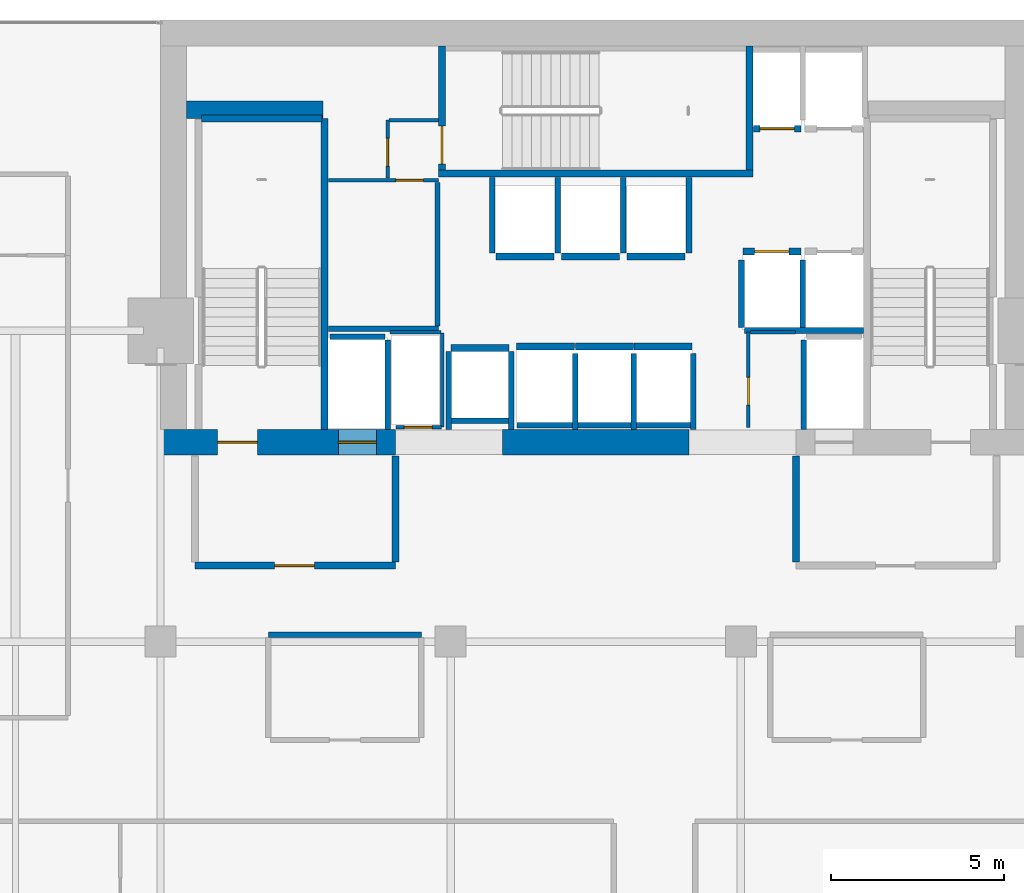
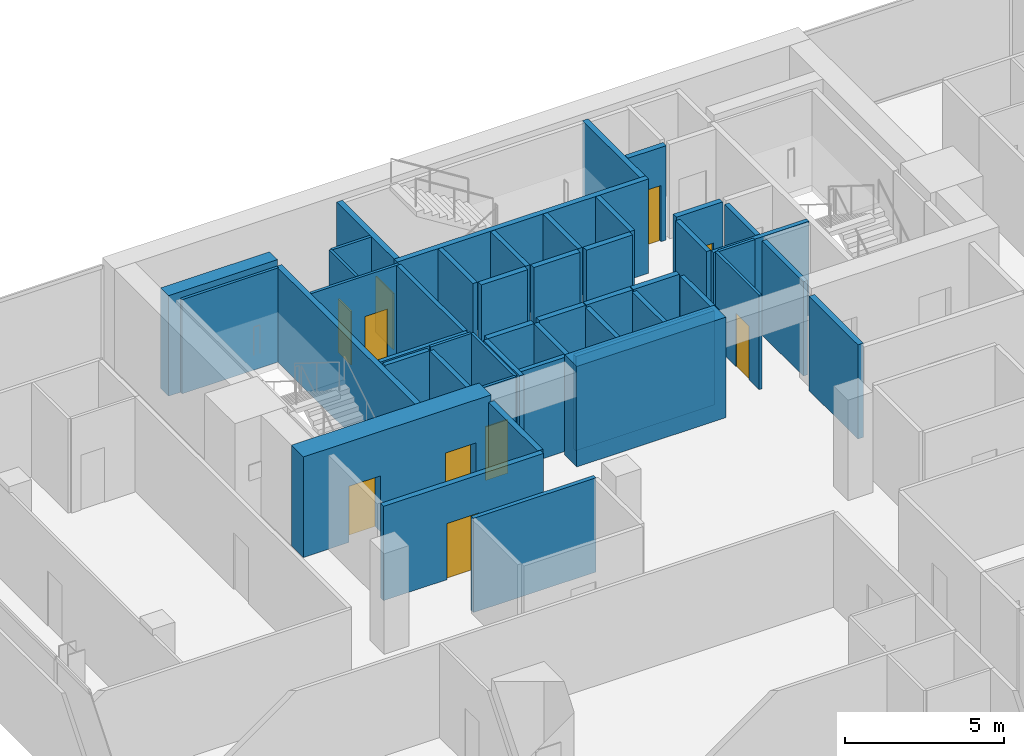
# One storey, part 29 of 33: 48 walls, 10 doors, 10 openings.
"""IFC4 building model written with IfcOpenShell, lengths in metres."""

from ifc_helpers import new_model, si_unit, direction, frame, frame_2d, origin, place, context, subcontext, project, spatial, rectangle, extrude, material, layer, layer_set, type_object, element, fill, save


model = new_model("IFC4")

# Units and contexts
model_context = context("Model", 3, precision=1e-05, world=origin(), true_north=direction((0.0, 1.0)))
body_context = subcontext(model_context, "Body", "Model", "MODEL_VIEW")
ifc_project = project(units=[si_unit("LENGTHUNIT", "METRE"), si_unit("AREAUNIT", "SQUARE_METRE"), si_unit("VOLUMEUNIT", "CUBIC_METRE"), si_unit("PLANEANGLEUNIT", "RADIAN"), si_unit("MASSUNIT", "GRAM", prefix="KILO")], contexts=[model_context])

# Site, building, storey
site_placement = place(None, origin())
site = spatial("IfcSite", under=ifc_project, at=site_placement, CompositionType="ELEMENT")
building_placement = place(site_placement, origin())
building = spatial("IfcBuilding", under=site, at=building_placement, Name="Maruvema Waterfront Hotel and Observation Tower", CompositionType="ELEMENT")
storey_placement = place(building_placement, frame((0.0, 0.0, 200.550048828125)))
storey = spatial("IfcBuildingStorey", under=building, at=storey_placement, Name="L49", CompositionType="ELEMENT", Elevation=200.550048828125)

# Walls
ifc_material_1 = material(Name="Twin-stud acoustic gypsum drywall", Category="gypsum")
ifc_layer_1 = layer(ifc_material_1, 0.14990234375, Name="Acoustic Corridor and Suite Demising Wall 150 mm")
ifc_layer_set_1 = layer_set([ifc_layer_1], Name="Twin-stud acoustic gypsum drywall")
wall_type_1 = type_object("IfcWallType", Name="Acoustic Corridor and Suite Demising Wall 150 mm", PredefinedType="PARTITIONING", material=ifc_layer_set_1)
wall_1_placement = place(storey_placement, frame((30.06005859375, 45.06005859375, 0.0), z_axis=(0.0, 0.0, 1.0), x_axis=(1.0, 0.0, 0.0)))
element("IfcWall", 1, at=wall_1_placement, inside=storey, type_object=wall_type_1, Name="L49 Freed B1 South Wall 012", PredefinedType="PARTITIONING", context=body_context, shape_type="SweptSolid", body=[
    extrude(rectangle(XDim=3.179931640625, YDim=0.14990234375, at=frame_2d((1.58984375, 0.0))), origin(), (0.0, 0.0, 1.0), 3.60986328125),
])
wall_2_placement = place(storey_placement, frame((33.219970703125, 45.139892578125, 0.0), z_axis=(0.0, 0.0, 1.0), x_axis=(0.0, 1.0, 0.0)))
element("IfcWall", 2, at=wall_2_placement, inside=storey, type_object=wall_type_1, Name="L49 Freed B1 East Wall 013", PredefinedType="PARTITIONING", context=body_context, shape_type="SweptSolid", body=[
    extrude(rectangle(XDim=4.16015625, YDim=0.14990234375, at=frame_2d((2.080078125, 0.0))), origin(), (0.0, 0.0, 1.0), 3.60986328125),
])
wall_3_placement = place(storey_placement, frame((28.320068359375, 36.199951171875, 0.0), z_axis=(0.0, 0.0, 1.0), x_axis=(1.0, 0.0, 0.0)))
element("IfcWall", 3, at=wall_3_placement, inside=storey, type_object=wall_type_1, Name="L49 L49-M1 Back Wall 017", PredefinedType="PARTITIONING", context=body_context, shape_type="SweptSolid", body=[
    extrude(rectangle(XDim=4.429931640625, YDim=0.14990234375, at=frame_2d((2.21484375, 0.0))), origin(), (0.0, 0.0, 1.0), 3.60986328125),
])
ifc_material_2 = material(Name="Precast concrete C45/55", Category="concrete")
ifc_layer_2 = layer(ifc_material_2, 0.199951171875, Name="Core Shaft and Stairwell Enclosure Wall 200 mm")
ifc_layer_set_2 = layer_set([ifc_layer_2], Name="Precast concrete C45/55")
wall_type_2 = type_object("IfcWallType", Name="Core Shaft and Stairwell Enclosure Wall 200 mm", PredefinedType="SOLIDWALL", material=ifc_layer_set_2)
wall_4_placement = place(storey_placement, frame((29.949951171875, 42.14990234375, 0.0), z_axis=(0.0, 0.0, 1.0), x_axis=(0.0, 1.0, 0.0)))
element("IfcWall", 4, at=wall_4_placement, inside=storey, type_object=wall_type_2, Name="L49 Stairwell ST-01 East Shaft Wall", PredefinedType="SOLIDWALL", context=body_context, shape_type="SweptSolid", body=[
    extrude(rectangle(XDim=9.0, YDim=0.199951171875, at=frame_2d((4.5, 0.0))), origin(), (0.0, 0.0, 1.0), 3.60986328125),
])
wall_5_placement = place(storey_placement, frame((26.3798828125, 51.14990234375, 0.0), z_axis=(0.0, 0.0, 1.0), x_axis=(1.0, 0.0, 0.0)))
element("IfcWall", 5, at=wall_5_placement, inside=storey, type_object=wall_type_2, Name="L49 Stairwell ST-01 Shaft Lining Wall", PredefinedType="SOLIDWALL", context=body_context, shape_type="SweptSolid", body=[
    extrude(rectangle(XDim=3.5, YDim=0.199951171875, at=frame_2d((1.75, 0.0))), origin(), (0.0, 0.0, 1.0), 3.60986328125),
])
wall_6_placement = place(storey_placement, frame((33.25, 49.550048828125, 0.0), z_axis=(0.0, 0.0, 1.0), x_axis=(1.0, 0.0, 0.0)))
element("IfcWall", 6, at=wall_6_placement, inside=storey, type_object=wall_type_2, Name="L49 Stairwell ST-02 Shaft Wall", PredefinedType="SOLIDWALL", context=body_context, shape_type="SweptSolid", body=[
    extrude(rectangle(XDim=9.10009765625, YDim=0.199951171875, at=frame_2d((4.550048828125, 0.0))), origin(), (0.0, 0.0, 1.0), 3.60986328125),
])
wall_7_placement = place(storey_placement, frame((42.25, 49.64990234375, 0.0), z_axis=(0.0, 0.0, 1.0), x_axis=(0.0, 1.0, 0.0)))
element("IfcWall", 7, at=wall_7_placement, inside=storey, type_object=wall_type_2, Name="L49 Stairwell ST-02 Shaft Wall", PredefinedType="SOLIDWALL", context=body_context, shape_type="SweptSolid", body=[
    extrude(rectangle(XDim=3.60009765625, YDim=0.199951171875, at=frame_2d((1.800048828125, 0.0))), origin(), (0.0, 0.0, 1.0), 3.60986328125),
])

# Wall, opening, door
wall_8_placement = place(storey_placement, frame((33.35009765625, 49.64990234375, 0.0), z_axis=(0.0, 0.0, 1.0), x_axis=(0.0, 1.0, 0.0)))
wall_8 = element("IfcWall", 8, at=wall_8_placement, inside=storey, type_object=wall_type_2, Name="L49 Stairwell ST-02 Shaft Wall", PredefinedType="SOLIDWALL", context=body_context, shape_type="SweptSolid", body=[
    extrude(rectangle(XDim=3.60009765625, YDim=0.199951171875, at=frame_2d((1.800048828125, 0.0))), origin(), (0.0, 0.0, 1.0), 3.60986328125),
])
opening_1_placement = place(wall_8_placement, frame((0.179931640625, 0.0, 0.0)))
opening_1 = element("IfcOpeningElement", 9, at=opening_1_placement, cuts=wall_8, Name="Opening SD-02", PredefinedType="OPENING", context=body_context, shape_type="SweptSolid", body=[
    extrude(rectangle(XDim=1.10009765625, YDim=2.14990234375, at=frame_2d((0.550048828125, 1.074951171875))), frame((0.0, 0.10986328125, 0.0), z_axis=(0.0, -1.0, 0.0), x_axis=(1.0, 0.0, 0.0)), (0.0, 0.0, 1.0), 0.219970703125),
])
ifc_material_3 = material(Name="Fire-rated galvanised steel leaf", Category="steel")
door_type_1 = type_object("IfcDoorType", Name="Central Exit Stair Fire Door 1100x2150 mm", OperationType="NOTDEFINED", PredefinedType="DOOR", material=ifc_material_3)
door_1_placement = place(opening_1_placement, frame((1.10009765625, 0.0, 0.0), z_axis=(0.0, 0.0, 1.0), x_axis=(-1.0, 0.0, 0.0)))
door_1 = element("IfcDoor", 10, at=door_1_placement, inside=storey, type_object=door_type_1, Name="L49 Exit Stair ST-02 Fire Door", OperationType="SINGLE_SWING_LEFT", OverallHeight=2.14990234375, OverallWidth=1.10009765625, PredefinedType="DOOR", context=body_context, shape_type="SweptSolid", body=[
    extrude(rectangle(XDim=1.10009765625, YDim=2.14990234375, at=frame_2d((0.550048828125, 1.074951171875))), frame((0.0, 0.02490234375, 0.0), z_axis=(0.0, -1.0, 0.0), x_axis=(1.0, 0.0, 0.0)), (0.0, 0.0, 1.0), 0.050048828125),
])
fill(opening_1, door_1)

wall_9_placement = place(storey_placement, frame((42.06005859375, 47.300048828125, 0.0), z_axis=(0.0, 0.0, 1.0), x_axis=(1.0, 0.0, 0.0)))
wall_9 = element("IfcWall", 11, at=wall_9_placement, inside=storey, type_object=wall_type_2, Name="L49 Lift LF-05 Hoistway Front Wall", PredefinedType="SOLIDWALL", context=body_context, shape_type="SweptSolid", body=[
    extrude(rectangle(XDim=1.679931640625, YDim=0.199951171875, at=frame_2d((0.83984375, 0.0))), origin(), (0.0, 0.0, 1.0), 3.60986328125),
])
opening_2_placement = place(wall_9_placement, frame((0.340087890625, 0.0, 0.0)))
opening_2 = element("IfcOpeningElement", 12, at=opening_2_placement, cuts=wall_9, Name="Opening LD-01", PredefinedType="OPENING", context=body_context, shape_type="SweptSolid", body=[
    extrude(rectangle(XDim=1.0, YDim=2.14990234375, at=frame_2d((0.5, 1.074951171875))), frame((0.0, 0.10986328125, 0.0), z_axis=(0.0, -1.0, 0.0), x_axis=(1.0, 0.0, 0.0)), (0.0, 0.0, 1.0), 0.219970703125),
])
ifc_material_4 = material(Name="Brushed stainless steel Grade 316", Category="steel")
door_type_2 = type_object("IfcDoorType", Name="Passenger Lift Sliding Landing Door 1000x2150 mm", OperationType="SLIDING_TO_LEFT", PredefinedType="DOOR", material=ifc_material_4)
door_2_placement = place(opening_2_placement, origin())
door_2 = element("IfcDoor", 13, at=door_2_placement, inside=storey, type_object=door_type_2, Name="L49 Lift LF-05 Sliding Landing Door", OperationType="SLIDING_TO_LEFT", OverallHeight=2.14990234375, OverallWidth=1.0, PredefinedType="DOOR", context=body_context, shape_type="SweptSolid", body=[
    extrude(rectangle(XDim=1.0, YDim=2.14990234375, at=frame_2d((0.5, 1.074951171875))), frame((0.0, 0.02490234375, 0.0), z_axis=(0.0, -1.0, 0.0), x_axis=(1.0, 0.0, 0.0)), (0.0, 0.0, 1.0), 0.050048828125),
])
fill(opening_2, door_2)

wall_10_placement = place(storey_placement, frame((42.360107421875, 50.85009765625, 0.0), z_axis=(0.0, 0.0, 1.0), x_axis=(1.0, 0.0, 0.0)))
wall_10 = element("IfcWall", 14, at=wall_10_placement, inside=storey, type_object=wall_type_2, Name="L49 Lift LF-07 Hoistway Front Wall", PredefinedType="SOLIDWALL", context=body_context, shape_type="SweptSolid", body=[
    extrude(rectangle(XDim=1.3798828125, YDim=0.199951171875, at=frame_2d((0.68994140625, 0.0))), origin(), (0.0, 0.0, 1.0), 3.60986328125),
])
opening_3_placement = place(wall_10_placement, frame((0.18994140625, 0.0, 0.0)))
opening_3 = element("IfcOpeningElement", 15, at=opening_3_placement, cuts=wall_10, Name="Opening LD-01", PredefinedType="OPENING", context=body_context, shape_type="SweptSolid", body=[
    extrude(rectangle(XDim=1.0, YDim=2.14990234375, at=frame_2d((0.5, 1.074951171875))), frame((0.0, 0.10986328125, 0.0), z_axis=(0.0, -1.0, 0.0), x_axis=(1.0, 0.0, 0.0)), (0.0, 0.0, 1.0), 0.219970703125),
])
door_3_placement = place(opening_3_placement, frame((1.0, 0.0, 0.0), z_axis=(0.0, 0.0, 1.0), x_axis=(-1.0, 0.0, 0.0)))
door_3 = element("IfcDoor", 16, at=door_3_placement, inside=storey, type_object=door_type_2, Name="L49 Lift LF-07 Sliding Landing Door", OperationType="SLIDING_TO_LEFT", OverallHeight=2.14990234375, OverallWidth=1.0, PredefinedType="DOOR", context=body_context, shape_type="SweptSolid", body=[
    extrude(rectangle(XDim=1.0, YDim=2.14990234375, at=frame_2d((0.5, 1.074951171875))), frame((0.0, 0.02490234375, 0.0), z_axis=(0.0, -1.0, 0.0), x_axis=(1.0, 0.0, 0.0)), (0.0, 0.0, 1.0), 0.050048828125),
])
fill(opening_3, door_3)

# Walls
for number, where, z_axis, x_axis, name in (
    (17, (35.510009765625, 44.550048828125, 0.0), (0.0, 0.0, 1.0), (1.0, 0.0, 0.0), "L49 Lift LF-09 Hoistway Front Wall"),
    (18, (37.2099609375, 44.550048828125, 0.0), (0.0, 0.0, 1.0), (1.0, 0.0, 0.0), "L49 Lift LF-10 Hoistway Front Wall"),
):
    element("IfcWall", number, at=place(storey_placement, frame(where, z_axis=z_axis, x_axis=x_axis)), inside=storey, type_object=wall_type_2, Name=name, PredefinedType="SOLIDWALL", context=body_context, shape_type="SweptSolid", body=[
        extrude(rectangle(XDim=1.679931640625, YDim=0.199951171875, at=frame_2d((0.83984375, 0.0))), origin(), (0.0, 0.0, 1.0), 3.60986328125),
    ])
for number, where, z_axis, x_axis, name in (
    (19, (38.909912109375, 44.550048828125, 0.0), (0.0, 0.0, 1.0), (1.0, 0.0, 0.0), "L49 Lift LF-11 Hoistway Front Wall"),
    (20, (34.909912109375, 47.14990234375, 0.0), (0.0, 0.0, 1.0), (1.0, 0.0, 0.0), "L49 Lift LF-12 Hoistway Front Wall"),
):
    element("IfcWall", number, at=place(storey_placement, frame(where, z_axis=z_axis, x_axis=x_axis)), inside=storey, type_object=wall_type_2, Name=name, PredefinedType="SOLIDWALL", context=body_context, shape_type="SweptSolid", body=[
        extrude(rectangle(XDim=1.68017578125, YDim=0.199951171875, at=frame_2d((0.840087890625, 0.0))), origin(), (0.0, 0.0, 1.0), 3.60986328125),
    ])
for number, where, z_axis, x_axis, name in (
    (21, (36.81005859375, 47.14990234375, 0.0), (0.0, 0.0, 1.0), (1.0, 0.0, 0.0), "L49 Lift LF-13 Hoistway Front Wall"),
    (22, (38.7099609375, 47.14990234375, 0.0), (0.0, 0.0, 1.0), (1.0, 0.0, 0.0), "L49 Lift LF-14 Hoistway Front Wall"),
    (23, (33.610107421875, 44.5, 0.0), (0.0, 0.0, 1.0), (1.0, 0.0, 0.0), "L49 Lift LF-15 Hoistway Front Wall"),
):
    element("IfcWall", number, at=place(storey_placement, frame(where, z_axis=z_axis, x_axis=x_axis)), inside=storey, type_object=wall_type_2, Name=name, PredefinedType="SOLIDWALL", context=body_context, shape_type="SweptSolid", body=[
        extrude(rectangle(XDim=1.679931640625, YDim=0.199951171875, at=frame_2d((0.83984375, 0.0))), origin(), (0.0, 0.0, 1.0), 3.60986328125),
    ])
ifc_material_5 = material(Name="Concrete C70/85", Category="concrete")
ifc_layer_3 = layer(ifc_material_5, 0.5, Name="Core Shear Wall 500 mm")
ifc_layer_set_3 = layer_set([ifc_layer_3], Name="Concrete C70/85")
wall_type_3 = type_object("IfcWallType", Name="Core Shear Wall 500 mm", PredefinedType="SHEAR", material=ifc_layer_set_3)
wall_11_placement = place(storey_placement, frame((25.949951171875, 51.39990234375, 0.0), z_axis=(0.0, 0.0, 1.0), x_axis=(1.0, 0.0, 0.0)))
element("IfcWall", 24, at=wall_11_placement, inside=storey, type_object=wall_type_3, Name="L49 Internal Core Shear Wall NW 500 mm", PredefinedType="SHEAR", context=body_context, shape_type="SweptSolid", body=[
    extrude(rectangle(XDim=3.949951171875, YDim=0.5, at=frame_2d((1.97509765625, 0.0))), origin(), (0.0, 0.0, 1.0), 3.849853515625),
])

# Wall, openings, doors
ifc_material_6 = material(Name="Concrete C70/85", Category="concrete")
ifc_layer_4 = layer(ifc_material_6, 0.75, Name="Core Shear Wall 750 mm")
ifc_layer_set_4 = layer_set([ifc_layer_4], Name="Concrete C70/85")
wall_type_4 = type_object("IfcWallType", Name="Core Shear Wall 750 mm", PredefinedType="SHEAR", material=ifc_layer_set_4)
wall_12_placement = place(storey_placement, frame((25.199951171875, 41.77490234375, 0.0), z_axis=(0.0, 0.0, 1.0), x_axis=(1.0, 0.0, 0.0)))
wall_12 = element("IfcWall", 25, at=wall_12_placement, inside=storey, type_object=wall_type_4, Name="L49 South-West Core Shear Wall", PredefinedType="SHEAR", context=body_context, shape_type="SweptSolid", body=[
    extrude(rectangle(XDim=6.800048828125, YDim=0.75, at=frame_2d((3.39990234375, 0.0))), origin(), (0.0, 0.0, 1.0), 3.849853515625),
])
opening_4_placement = place(wall_12_placement, frame((1.64990234375, 0.0, 0.0)))
opening_4 = element("IfcOpeningElement", 26, at=opening_4_placement, cuts=wall_12, Name="Opening SD-01", PredefinedType="OPENING", context=body_context, shape_type="SweptSolid", body=[
    extrude(rectangle(XDim=1.14990234375, YDim=2.14990234375, at=frame_2d((0.574951171875, 1.074951171875))), frame((0.0, 0.385009765625, 0.0), z_axis=(0.0, -1.0, 0.0), x_axis=(1.0, 0.0, 0.0)), (0.0, 0.0, 1.0), 0.77001953125),
])
opening_5_placement = place(wall_12_placement, frame((5.14990234375, 0.0, 0.0)))
opening_5 = element("IfcOpeningElement", 27, at=opening_5_placement, cuts=wall_12, Name="Opening LD-03", PredefinedType="OPENING", context=body_context, shape_type="SweptSolid", body=[
    extrude(rectangle(XDim=1.10009765625, YDim=2.199951171875, at=frame_2d((0.550048828125, 1.10009765625))), frame((0.0, 0.385009765625, 0.0), z_axis=(0.0, -1.0, 0.0), x_axis=(1.0, 0.0, 0.0)), (0.0, 0.0, 1.0), 0.77001953125),
])
ifc_material_7 = material(Name="Fire-rated galvanised steel leaf", Category="steel")
door_type_3 = type_object("IfcDoorType", Name="Exit Stair Fire Door 1150x2150 mm", OperationType="NOTDEFINED", PredefinedType="DOOR", material=ifc_material_7)
door_4_placement = place(opening_4_placement, origin())
door_4 = element("IfcDoor", 28, at=door_4_placement, inside=storey, type_object=door_type_3, Name="L49 Exit Stair ST-01 Fire Door", OperationType="SINGLE_SWING_LEFT", OverallHeight=2.14990234375, OverallWidth=1.14990234375, PredefinedType="DOOR", context=body_context, shape_type="SweptSolid", body=[
    extrude(rectangle(XDim=1.14990234375, YDim=2.14990234375, at=frame_2d((0.574951171875, 1.074951171875))), frame((0.0, 0.02490234375, 0.0), z_axis=(0.0, -1.0, 0.0), x_axis=(1.0, 0.0, 0.0)), (0.0, 0.0, 1.0), 0.050048828125),
])
fill(opening_4, door_4)
ifc_material_8 = material(Name="Brushed stainless steel Grade 316", Category="steel")
door_type_4 = type_object("IfcDoorType", Name="Firefighting Lift Sliding Landing Door 1100x2200 mm", OperationType="SLIDING_TO_LEFT", PredefinedType="DOOR", material=ifc_material_8)
door_5_placement = place(opening_5_placement, frame((1.10009765625, 0.0, 0.0), z_axis=(0.0, 0.0, 1.0), x_axis=(-1.0, 0.0, 0.0)))
door_5 = element("IfcDoor", 29, at=door_5_placement, inside=storey, type_object=door_type_4, Name="L49 Firefighting Lift FL-01 Landing Door", OperationType="SLIDING_TO_LEFT", OverallHeight=2.199951171875, OverallWidth=1.10009765625, PredefinedType="DOOR", context=body_context, shape_type="SweptSolid", body=[
    extrude(rectangle(XDim=1.10009765625, YDim=2.199951171875, at=frame_2d((0.550048828125, 1.10009765625))), frame((0.0, 0.02490234375, 0.0), z_axis=(0.0, -1.0, 0.0), x_axis=(1.0, 0.0, 0.0)), (0.0, 0.0, 1.0), 0.050048828125),
])
fill(opening_5, door_5)

# Wall
wall_13_placement = place(storey_placement, frame((35.10009765625, 41.77490234375, 0.0), z_axis=(0.0, 0.0, 1.0), x_axis=(1.0, 0.0, 0.0)))
element("IfcWall", 30, at=wall_13_placement, inside=storey, type_object=wall_type_4, Name="L49 South-Central Core Shear Wall", PredefinedType="SHEAR", context=body_context, shape_type="SweptSolid", body=[
    extrude(rectangle(XDim=5.39990234375, YDim=0.75, at=frame_2d((2.699951171875, 0.0))), origin(), (0.0, 0.0, 1.0), 3.849853515625),
])

# Wall, opening, door
ifc_material_9 = material(Name="Moisture-resistant cement-board drywall", Category="gypsum")
ifc_layer_5 = layer(ifc_material_9, 0.10009765625, Name="En-Suite Moisture-Resistant Partition 100 mm")
ifc_layer_set_5 = layer_set([ifc_layer_5], Name="Moisture-resistant cement-board drywall")
wall_type_5 = type_object("IfcWallType", Name="En-Suite Moisture-Resistant Partition 100 mm", PredefinedType="PARTITIONING", material=ifc_layer_set_5)
wall_14_placement = place(storey_placement, frame((32.02001953125, 42.2099609375, 0.0), z_axis=(0.0, 0.0, 1.0), x_axis=(1.0, 0.0, 0.0)))
wall_14 = element("IfcWall", 31, at=wall_14_placement, inside=storey, type_object=wall_type_5, Name="L49 Telecom Riser South Wall 007", PredefinedType="PARTITIONING", context=body_context, shape_type="SweptSolid", body=[
    extrude(rectangle(XDim=1.320068359375, YDim=0.10009765625, at=frame_2d((0.66015625, 0.0))), origin(), (0.0, 0.0, 1.0), 3.60986328125),
])
opening_6_placement = place(wall_14_placement, frame((0.239990234375, 0.0, 0.0)))
opening_6 = element("IfcOpeningElement", 32, at=opening_6_placement, cuts=wall_14, Name="Opening DR-080", PredefinedType="OPENING", context=body_context, shape_type="SweptSolid", body=[
    extrude(rectangle(XDim=0.800048828125, YDim=2.050048828125, at=frame_2d((0.39990234375, 1.02490234375))), frame((0.0, 0.06005859375, 0.0), z_axis=(0.0, -1.0, 0.0), x_axis=(1.0, 0.0, 0.0)), (0.0, 0.0, 1.0), 0.1201171875),
])
ifc_material_10 = material(Name="Powder-coated steel access leaf", Category="steel")
door_type_5 = type_object("IfcDoorType", Name="Riser and Service Cupboard Door 800x2050 mm", OperationType="NOTDEFINED", PredefinedType="DOOR", material=ifc_material_10)
door_6_placement = place(opening_6_placement, frame((0.800048828125, 0.0, 0.0), z_axis=(0.0, 0.0, 1.0), x_axis=(-1.0, 0.0, 0.0)))
door_6 = element("IfcDoor", 33, at=door_6_placement, inside=storey, type_object=door_type_5, Name="L49 Telecom Riser Door", OperationType="SINGLE_SWING_RIGHT", OverallHeight=2.050048828125, OverallWidth=0.800048828125, PredefinedType="DOOR", context=body_context, shape_type="SweptSolid", body=[
    extrude(rectangle(XDim=0.800048828125, YDim=2.050048828125, at=frame_2d((0.39990234375, 1.02490234375))), frame((0.0, 0.02490234375, 0.0), z_axis=(0.0, -1.0, 0.0), x_axis=(1.0, 0.0, 0.0)), (0.0, 0.0, 1.0), 0.050048828125),
])
fill(opening_6, door_6)

# Walls
wall_15_placement = place(storey_placement, frame((31.840087890625, 44.9599609375, 0.0), z_axis=(0.0, 0.0, 1.0), x_axis=(1.0, 0.0, 0.0)))
element("IfcWall", 34, at=wall_15_placement, inside=storey, type_object=wall_type_5, Name="L49 Telecom Riser North Wall 008", PredefinedType="PARTITIONING", context=body_context, shape_type="SweptSolid", body=[
    extrude(rectangle(XDim=1.47998046875, YDim=0.10009765625, at=frame_2d((0.739990234375, 0.0))), origin(), (0.0, 0.0, 1.0), 3.60986328125),
])
wall_16_placement = place(storey_placement, frame((33.360107421875, 42.2099609375, 0.0), z_axis=(0.0, 0.0, 1.0), x_axis=(0.0, 1.0, 0.0)))
element("IfcWall", 35, at=wall_16_placement, inside=storey, type_object=wall_type_5, Name="L49 Telecom Riser East Wall 009", PredefinedType="PARTITIONING", context=body_context, shape_type="SweptSolid", body=[
    extrude(rectangle(XDim=2.72998046875, YDim=0.10009765625, at=frame_2d((1.364990234375, 0.0))), origin(), (0.0, 0.0, 1.0), 3.60986328125),
])

# Wall, opening, door
wall_17_placement = place(storey_placement, frame((42.219970703125, 42.199951171875, 0.0), z_axis=(0.0, 0.0, 1.0), x_axis=(0.0, 1.0, 0.0)))
wall_17 = element("IfcWall", 36, at=wall_17_placement, inside=storey, type_object=wall_type_5, Name="L49 Core Closet K1 West 010", PredefinedType="PARTITIONING", context=body_context, shape_type="SweptSolid", body=[
    extrude(rectangle(XDim=2.760009765625, YDim=0.10009765625, at=frame_2d((1.3798828125, 0.0))), origin(), (0.0, 0.0, 1.0), 3.60986328125),
])
opening_7_placement = place(wall_17_placement, frame((0.64990234375, 0.0, 0.0)))
opening_7 = element("IfcOpeningElement", 37, at=opening_7_placement, cuts=wall_17, Name="Opening DR-080", PredefinedType="OPENING", context=body_context, shape_type="SweptSolid", body=[
    extrude(rectangle(XDim=0.800048828125, YDim=2.050048828125, at=frame_2d((0.39990234375, 1.02490234375))), frame((0.0, 0.06005859375, 0.0), z_axis=(0.0, -1.0, 0.0), x_axis=(1.0, 0.0, 0.0)), (0.0, 0.0, 1.0), 0.1201171875),
])
door_7_placement = place(opening_7_placement, frame((0.800048828125, 0.0, 0.0), z_axis=(0.0, 0.0, 1.0), x_axis=(-1.0, 0.0, 0.0)))
door_7 = element("IfcDoor", 38, at=door_7_placement, inside=storey, type_object=door_type_5, Name="L49 Core Cleaning Store Door", OperationType="SINGLE_SWING_LEFT", OverallHeight=2.050048828125, OverallWidth=0.800048828125, PredefinedType="DOOR", context=body_context, shape_type="SweptSolid", body=[
    extrude(rectangle(XDim=0.800048828125, YDim=2.050048828125, at=frame_2d((0.39990234375, 1.02490234375))), frame((0.0, 0.02490234375, 0.0), z_axis=(0.0, -1.0, 0.0), x_axis=(1.0, 0.0, 0.0)), (0.0, 0.0, 1.0), 0.050048828125),
])
fill(opening_7, door_7)

# Wall
wall_18_placement = place(storey_placement, frame((42.280029296875, 44.9599609375, 0.0), z_axis=(0.0, 0.0, 1.0), x_axis=(1.0, 0.0, 0.0)))
element("IfcWall", 39, at=wall_18_placement, inside=storey, type_object=wall_type_5, Name="L49 Core Closet K1 North 011", PredefinedType="PARTITIONING", context=body_context, shape_type="SweptSolid", body=[
    extrude(rectangle(XDim=1.300048828125, YDim=0.10009765625, at=frame_2d((0.64990234375, 0.0))), origin(), (0.0, 0.0, 1.0), 3.60986328125),
])

# Wall, opening, door
wall_19_placement = place(storey_placement, frame((30.06005859375, 49.360107421875, 0.0), z_axis=(0.0, 0.0, 1.0), x_axis=(1.0, 0.0, 0.0)))
wall_19 = element("IfcWall", 40, at=wall_19_placement, inside=storey, type_object=wall_type_5, Name="L49 Freed B1 Mid Wall 014", PredefinedType="PARTITIONING", context=body_context, shape_type="SweptSolid", body=[
    extrude(rectangle(XDim=3.179931640625, YDim=0.10009765625, at=frame_2d((1.58984375, 0.0))), origin(), (0.0, 0.0, 1.0), 3.60986328125),
])
opening_8_placement = place(wall_19_placement, frame((1.949951171875, 0.0, 0.0)))
opening_8 = element("IfcOpeningElement", 41, at=opening_8_placement, cuts=wall_19, Name="Opening DR-080", PredefinedType="OPENING", context=body_context, shape_type="SweptSolid", body=[
    extrude(rectangle(XDim=0.800048828125, YDim=2.050048828125, at=frame_2d((0.39990234375, 1.02490234375))), frame((0.0, 0.06005859375, 0.0), z_axis=(0.0, -1.0, 0.0), x_axis=(1.0, 0.0, 0.0)), (0.0, 0.0, 1.0), 0.1201171875),
])
door_8_placement = place(opening_8_placement, origin())
door_8 = element("IfcDoor", 42, at=door_8_placement, inside=storey, type_object=door_type_5, Name="L49 Housekeeping and Linen Room Door", OperationType="SINGLE_SWING_RIGHT", OverallHeight=2.050048828125, OverallWidth=0.800048828125, PredefinedType="DOOR", context=body_context, shape_type="SweptSolid", body=[
    extrude(rectangle(XDim=0.800048828125, YDim=2.050048828125, at=frame_2d((0.39990234375, 1.02490234375))), frame((0.0, 0.02490234375, 0.0), z_axis=(0.0, -1.0, 0.0), x_axis=(1.0, 0.0, 0.0)), (0.0, 0.0, 1.0), 0.050048828125),
])
fill(opening_8, door_8)

wall_20_placement = place(storey_placement, frame((31.780029296875, 49.419921875, 0.0), z_axis=(0.0, 0.0, 1.0), x_axis=(0.0, 1.0, 0.0)))
wall_20 = element("IfcWall", 43, at=wall_20_placement, inside=storey, type_object=wall_type_5, Name="L49 Freed B1 NW East Wall 015", PredefinedType="PARTITIONING", context=body_context, shape_type="SweptSolid", body=[
    extrude(rectangle(XDim=1.68017578125, YDim=0.10009765625, at=frame_2d((0.840087890625, 0.0))), origin(), (0.0, 0.0, 1.0), 3.60986328125),
])
opening_9_placement = place(wall_20_placement, frame((0.35009765625, 0.0, 0.0)))
opening_9 = element("IfcOpeningElement", 44, at=opening_9_placement, cuts=wall_20, Name="Opening DR-080", PredefinedType="OPENING", context=body_context, shape_type="SweptSolid", body=[
    extrude(rectangle(XDim=0.800048828125, YDim=2.050048828125, at=frame_2d((0.39990234375, 1.02490234375))), frame((0.0, 0.06005859375, 0.0), z_axis=(0.0, -1.0, 0.0), x_axis=(1.0, 0.0, 0.0)), (0.0, 0.0, 1.0), 0.1201171875),
])
door_9_placement = place(opening_9_placement, origin())
door_9 = element("IfcDoor", 45, at=door_9_placement, inside=storey, type_object=door_type_5, Name="L49 Guest Floor Pantry Door", OperationType="SINGLE_SWING_LEFT", OverallHeight=2.050048828125, OverallWidth=0.800048828125, PredefinedType="DOOR", context=body_context, shape_type="SweptSolid", body=[
    extrude(rectangle(XDim=0.800048828125, YDim=2.050048828125, at=frame_2d((0.39990234375, 1.02490234375))), frame((0.0, 0.02490234375, 0.0), z_axis=(0.0, -1.0, 0.0), x_axis=(1.0, 0.0, 0.0)), (0.0, 0.0, 1.0), 0.050048828125),
])
fill(opening_9, door_9)

# Wall
wall_21_placement = place(storey_placement, frame((31.820068359375, 51.10009765625, 0.0), z_axis=(0.0, 0.0, 1.0), x_axis=(1.0, 0.0, 0.0)))
element("IfcWall", 46, at=wall_21_placement, inside=storey, type_object=wall_type_5, Name="L49 Freed B1 Vestibule North Wall 016", PredefinedType="PARTITIONING", context=body_context, shape_type="SweptSolid", body=[
    extrude(rectangle(XDim=1.419921875, YDim=0.10009765625, at=frame_2d((0.7099609375, 0.0))), origin(), (0.0, 0.0, 1.0), 3.60986328125),
])

# Wall, opening, door
ifc_material_11 = material(Name="Autoclaved cellular concrete blockwork", Category="masonry")
ifc_layer_6 = layer(ifc_material_11, 0.199951171875, Name="Fire Compartment Masonry Wall 200 mm")
ifc_layer_set_6 = layer_set([ifc_layer_6], Name="Autoclaved cellular concrete blockwork")
wall_type_6 = type_object("IfcWallType", Name="Fire Compartment Masonry Wall 200 mm", PredefinedType="PARTITIONING", material=ifc_layer_set_6)
wall_22_placement = place(storey_placement, frame((26.199951171875, 38.199951171875, 0.0), z_axis=(0.0, 0.0, 1.0), x_axis=(1.0, 0.0, 0.0)))
wall_22 = element("IfcWall", 47, at=wall_22_placement, inside=storey, type_object=wall_type_6, Name="L49 FFL West South Wall 001", PredefinedType="PARTITIONING", context=body_context, shape_type="SweptSolid", body=[
    extrude(rectangle(XDim=5.800048828125, YDim=0.199951171875, at=frame_2d((2.89990234375, 0.0))), origin(), (0.0, 0.0, 1.0), 3.60986328125),
])
opening_10_placement = place(wall_22_placement, frame((2.300048828125, 0.0, 0.0)))
opening_10 = element("IfcOpeningElement", 48, at=opening_10_placement, cuts=wall_22, Name="Opening FD-115", PredefinedType="OPENING", context=body_context, shape_type="SweptSolid", body=[
    extrude(rectangle(XDim=1.14990234375, YDim=2.14990234375, at=frame_2d((0.574951171875, 1.074951171875))), frame((0.0, 0.10986328125, 0.0), z_axis=(0.0, -1.0, 0.0), x_axis=(1.0, 0.0, 0.0)), (0.0, 0.0, 1.0), 0.219970703125),
])
ifc_material_12 = material(Name="Fire-rated galvanised steel and vision glass", Category="steel")
door_type_6 = type_object("IfcDoorType", Name="Firefighting Lobby Fire Door 1150x2150 mm", OperationType="NOTDEFINED", PredefinedType="DOOR", material=ifc_material_12)
door_10_placement = place(opening_10_placement, frame((1.14990234375, 0.0, 0.0), z_axis=(0.0, 0.0, 1.0), x_axis=(-1.0, 0.0, 0.0)))
door_10 = element("IfcDoor", 49, at=door_10_placement, inside=storey, type_object=door_type_6, Name="L49 Firefighting Lobby West Door", OperationType="SINGLE_SWING_RIGHT", OverallHeight=2.14990234375, OverallWidth=1.14990234375, PredefinedType="DOOR", context=body_context, shape_type="SweptSolid", body=[
    extrude(rectangle(XDim=1.14990234375, YDim=2.14990234375, at=frame_2d((0.574951171875, 1.074951171875))), frame((0.0, 0.02490234375, 0.0), z_axis=(0.0, -1.0, 0.0), x_axis=(1.0, 0.0, 0.0)), (0.0, 0.0, 1.0), 0.050048828125),
])
fill(opening_10, door_10)

# Walls
for number, where, z_axis, x_axis, name in (
    (50, (32.0, 38.31005859375, 0.0), (0.0, 0.0, 1.0), (0.0, 1.0, 0.0), "L49 FFL West East Wall 003"),
    (51, (43.60009765625, 38.31005859375, 0.0), (0.0, 0.0, 1.0), (0.0, 1.0, 0.0), "L49 FFL East West Wall 005"),
):
    element("IfcWall", number, at=place(storey_placement, frame(where, z_axis=z_axis, x_axis=x_axis)), inside=storey, type_object=wall_type_6, Name=name, PredefinedType="PARTITIONING", context=body_context, shape_type="SweptSolid", body=[
        extrude(rectangle(XDim=3.06982421875, YDim=0.199951171875, at=frame_2d((1.534912109375, 0.0))), origin(), (0.0, 0.0, 1.0), 3.60986328125),
    ])
ifc_material_13 = material(Name="Precast concrete C45/55", Category="concrete")
ifc_layer_7 = layer(ifc_material_13, 0.159912109375, Name="Lift Hoistway Divider Wall 160 mm")
ifc_layer_set_7 = layer_set([ifc_layer_7], Name="Precast concrete C45/55")
wall_type_7 = type_object("IfcWallType", Name="Lift Hoistway Divider Wall 160 mm", PredefinedType="SOLIDWALL", material=ifc_layer_set_7)
wall_23_placement = place(storey_placement, frame((30.10009765625, 44.830078125, 0.0), z_axis=(0.0, 0.0, 1.0), x_axis=(1.0, 0.0, 0.0)))
element("IfcWall", 52, at=wall_23_placement, inside=storey, type_object=wall_type_7, Name="L49 Lift FL-01 Rear Hoistway Wall", PredefinedType="SOLIDWALL", context=body_context, shape_type="SweptSolid", body=[
    extrude(rectangle(XDim=1.599853515625, YDim=0.159912109375, at=frame_2d((0.7998046875, 0.0))), origin(), (0.0, 0.0, 1.0), 3.60986328125),
])
for number, where, z_axis, x_axis, name in (
    (53, (31.780029296875, 42.14990234375, 0.0), (0.0, 0.0, 1.0), (0.0, 1.0, 0.0), "L49 Lift FL-01 Inner Hoistway Wall"),
    (54, (43.820068359375, 42.14990234375, 0.0), (0.0, 0.0, 1.0), (0.0, 1.0, 0.0), "L49 Lift FL-02 Inner Hoistway Wall"),
):
    element("IfcWall", number, at=place(storey_placement, frame(where, z_axis=z_axis, x_axis=x_axis)), inside=storey, type_object=wall_type_7, Name=name, PredefinedType="SOLIDWALL", context=body_context, shape_type="SweptSolid", body=[
        extrude(rectangle(XDim=2.590087890625, YDim=0.159912109375, at=frame_2d((1.294921875, 0.0))), origin(), (0.0, 0.0, 1.0), 3.60986328125),
    ])
for number, where, z_axis, x_axis, name in (
    (55, (42.02001953125, 45.10009765625, 0.0), (0.0, 0.0, 1.0), (0.0, 1.0, 0.0), "L49 Hoistway Divider Wall"),
    (56, (43.800048828125, 45.10009765625, 0.0), (0.0, 0.0, 1.0), (0.0, 1.0, 0.0), "L49 Hoistway Divider Wall"),
):
    element("IfcWall", number, at=place(storey_placement, frame(where, z_axis=z_axis, x_axis=x_axis)), inside=storey, type_object=wall_type_7, Name=name, PredefinedType="SOLIDWALL", context=body_context, shape_type="SweptSolid", body=[
        extrude(rectangle(XDim=1.949951171875, YDim=0.159912109375, at=frame_2d((0.97509765625, 0.0))), origin(), (0.0, 0.0, 1.0), 3.60986328125),
    ])
wall_24_placement = place(storey_placement, frame((42.10009765625, 45.010009765625, 0.0), z_axis=(0.0, 0.0, 1.0), x_axis=(1.0, 0.0, 0.0)))
element("IfcWall", 57, at=wall_24_placement, inside=storey, type_object=wall_type_7, Name="L49 Hoistway Divider Wall", PredefinedType="SOLIDWALL", context=body_context, shape_type="SweptSolid", body=[
    extrude(rectangle(XDim=3.449951171875, YDim=0.159912109375, at=frame_2d((1.72509765625, 0.0))), origin(), (0.0, 0.0, 1.0), 3.60986328125),
])
for number, where, z_axis, x_axis, name in (
    (58, (37.199951171875, 42.14990234375, 0.0), (0.0, 0.0, 1.0), (0.0, 1.0, 0.0), "L49 Hoistway Divider Wall"),
    (59, (38.89990234375, 42.14990234375, 0.0), (0.0, 0.0, 1.0), (0.0, 1.0, 0.0), "L49 Hoistway Divider Wall"),
    (60, (40.6201171875, 42.14990234375, 0.0), (0.0, 0.0, 1.0), (0.0, 1.0, 0.0), "L49 Hoistway Divider Wall"),
):
    element("IfcWall", number, at=place(storey_placement, frame(where, z_axis=z_axis, x_axis=x_axis)), inside=storey, type_object=wall_type_7, Name=name, PredefinedType="SOLIDWALL", context=body_context, shape_type="SweptSolid", body=[
        extrude(rectangle(XDim=2.2001953125, YDim=0.159912109375, at=frame_2d((1.10009765625, 0.0))), origin(), (0.0, 0.0, 1.0), 3.60986328125),
    ])
wall_25_placement = place(storey_placement, frame((35.52001953125, 42.260009765625, 0.0), z_axis=(0.0, 0.0, 1.0), x_axis=(1.0, 0.0, 0.0)))
element("IfcWall", 61, at=wall_25_placement, inside=storey, type_object=wall_type_7, Name="L49 Hoistway Divider Wall", PredefinedType="SOLIDWALL", context=body_context, shape_type="SweptSolid", body=[
    extrude(rectangle(XDim=5.02001953125, YDim=0.159912109375, at=frame_2d((2.510009765625, 0.0))), origin(), (0.0, 0.0, 1.0), 3.60986328125),
])
for number, where, z_axis, x_axis, name in (
    (62, (34.800048828125, 47.25, 0.0), (0.0, 0.0, 1.0), (0.0, 1.0, 0.0), "L49 Hoistway Divider Wall"),
    (63, (36.699951171875, 47.25, 0.0), (0.0, 0.0, 1.0), (0.0, 1.0, 0.0), "L49 Hoistway Divider Wall"),
    (64, (38.60009765625, 47.25, 0.0), (0.0, 0.0, 1.0), (0.0, 1.0, 0.0), "L49 Hoistway Divider Wall"),
    (65, (40.5, 47.25, 0.0), (0.0, 0.0, 1.0), (0.0, 1.0, 0.0), "L49 Hoistway Divider Wall"),
):
    element("IfcWall", number, at=place(storey_placement, frame(where, z_axis=z_axis, x_axis=x_axis)), inside=storey, type_object=wall_type_7, Name=name, PredefinedType="SOLIDWALL", context=body_context, shape_type="SweptSolid", body=[
        extrude(rectangle(XDim=2.18994140625, YDim=0.159912109375, at=frame_2d((1.094970703125, 0.0))), origin(), (0.0, 0.0, 1.0), 3.60986328125),
    ])
for number, where, z_axis, x_axis, name in (
    (66, (33.5400390625, 42.14990234375, 0.0), (0.0, 0.0, 1.0), (0.0, 1.0, 0.0), "L49 Hoistway Divider Wall"),
    (67, (35.360107421875, 42.14990234375, 0.0), (0.0, 0.0, 1.0), (0.0, 1.0, 0.0), "L49 Hoistway Divider Wall"),
):
    element("IfcWall", number, at=place(storey_placement, frame(where, z_axis=z_axis, x_axis=x_axis)), inside=storey, type_object=wall_type_7, Name=name, PredefinedType="SOLIDWALL", context=body_context, shape_type="SweptSolid", body=[
        extrude(rectangle(XDim=2.25, YDim=0.159912109375, at=frame_2d((1.125, 0.0))), origin(), (0.0, 0.0, 1.0), 3.60986328125),
    ])
wall_26_placement = place(storey_placement, frame((33.6201171875, 42.39990234375, 0.0), z_axis=(0.0, 0.0, 1.0), x_axis=(1.0, 0.0, 0.0)))
element("IfcWall", 68, at=wall_26_placement, inside=storey, type_object=wall_type_7, Name="L49 Hoistway Divider Wall", PredefinedType="SOLIDWALL", context=body_context, shape_type="SweptSolid", body=[
    extrude(rectangle(XDim=1.659912109375, YDim=0.159912109375, at=frame_2d((0.830078125, 0.0))), origin(), (0.0, 0.0, 1.0), 3.60986328125),
])

save(model, "model.ifc")
